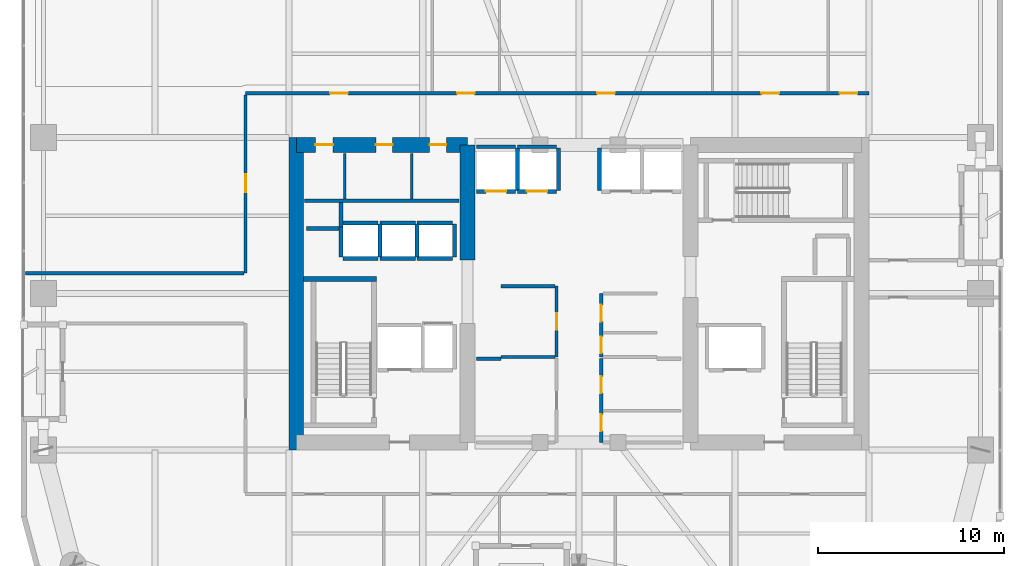
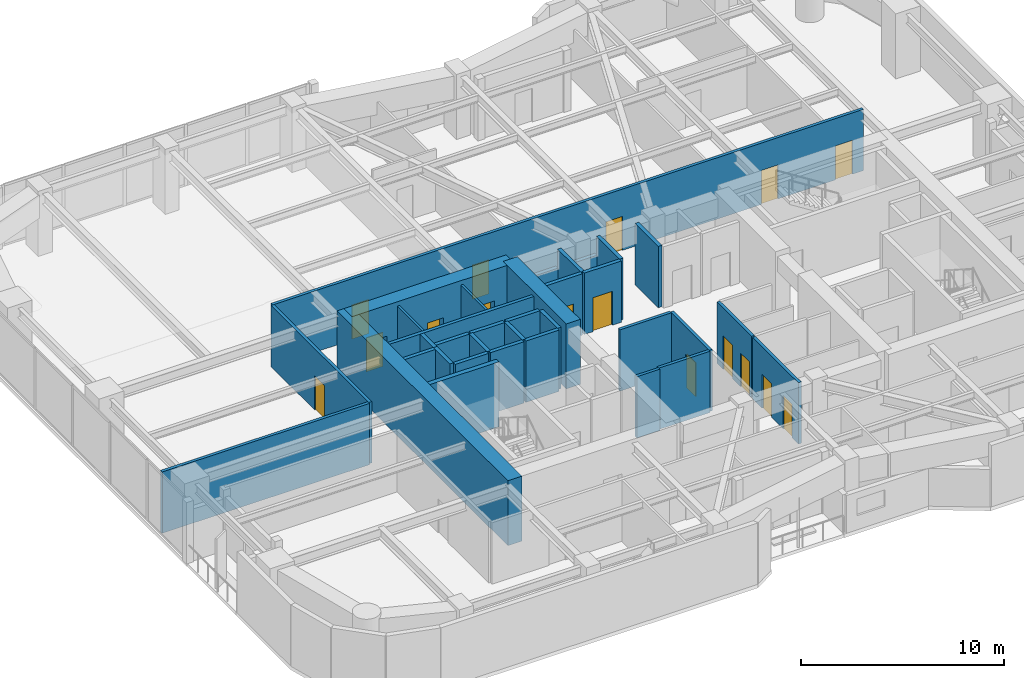
# One storey, part 26 of 31: 35 walls, 16 doors, 16 openings.
"""IFC4 building model written with IfcOpenShell, lengths in metres."""

from ifc_helpers import new_model, si_unit, direction, frame, frame_2d, origin, place, context, subcontext, project, spatial, rectangle, extrude, material, layer, layer_set, type_object, element, fill, save


model = new_model("IFC4")

# Units and contexts
model_context = context("Model", 3, precision=1e-05, world=origin(), true_north=direction((0.0, 1.0)))
body_context = subcontext(model_context, "Body", "Model", "MODEL_VIEW")
ifc_project = project(units=[si_unit("LENGTHUNIT", "METRE"), si_unit("AREAUNIT", "SQUARE_METRE"), si_unit("VOLUMEUNIT", "CUBIC_METRE"), si_unit("PLANEANGLEUNIT", "RADIAN"), si_unit("MASSUNIT", "GRAM", prefix="KILO")], contexts=[model_context])

# Site, building, storey
site_placement = place(None, origin())
site = spatial("IfcSite", under=ifc_project, at=site_placement, CompositionType="ELEMENT")
building_placement = place(site_placement, origin())
building = spatial("IfcBuilding", under=site, at=building_placement, Name="Kiyonajd Concourse Tower", CompositionType="ELEMENT")
storey_placement = place(building_placement, frame((0.0, 0.0, 158.39990234375)))
storey = spatial("IfcBuildingStorey", under=building, at=storey_placement, Name="L40", CompositionType="ELEMENT", Elevation=158.39990234375)

# Walls
ifc_material_1 = material(Name="Concrete C70/85", Category="concrete")
ifc_layer_1 = layer(ifc_material_1, 0.800048828125)
ifc_layer_set_1 = layer_set([ifc_layer_1], Name="Concrete C70/85")
wall_type_1 = type_object("IfcWallType", Name="WL-CORE-800", PredefinedType="SHEAR", material=ifc_layer_set_1)
wall_1_placement = place(storey_placement, frame((32.800048828125, 27.60009765625, 0.0), z_axis=(0.0, 0.0, 1.0), x_axis=(0.0, 1.0, 0.0)))
element("IfcWall", 1, at=wall_1_placement, inside=storey, type_object=wall_type_1, Name="L40 West Core Outer Shear Wall", PredefinedType="SHEAR", context=body_context, shape_type="SweptSolid", body=[
    extrude(rectangle(XDim=16.7998046875, YDim=0.800048828125, at=frame_2d((8.39990234375, 0.0))), origin(), (0.0, 0.0, 1.0), 3.900146484375),
])
wall_2_placement = place(storey_placement, frame((42.0, 37.800048828125, 0.0), z_axis=(0.0, 0.0, 1.0), x_axis=(0.0, 1.0, 0.0)))
element("IfcWall", 2, at=wall_2_placement, inside=storey, type_object=wall_type_1, Name="L40 West Core Inner North Shear Wall", PredefinedType="SHEAR", context=body_context, shape_type="SweptSolid", body=[
    extrude(rectangle(XDim=6.199951171875, YDim=0.800048828125, at=frame_2d((3.10009765625, 0.0))), origin(), (0.0, 0.0, 1.0), 3.900146484375),
])

# Wall, openings, doors
wall_3_placement = place(storey_placement, frame((32.800048828125, 44.0, 0.0), z_axis=(0.0, 0.0, 1.0), x_axis=(1.0, 0.0, 0.0)))
wall_3 = element("IfcWall", 3, at=wall_3_placement, inside=storey, type_object=wall_type_1, Name="L40 West Core North Shear Wall", PredefinedType="SHEAR", context=body_context, shape_type="SweptSolid", body=[
    extrude(rectangle(XDim=9.199951171875, YDim=0.800048828125, at=frame_2d((4.60009765625, 0.0))), origin(), (0.0, 0.0, 1.0), 3.900146484375),
])
opening_1_placement = place(wall_3_placement, frame((1.02490234375, 0.0, 0.0)))
opening_1 = element("IfcOpeningElement", 4, at=opening_1_placement, cuts=wall_3, Name="Opening DI1", PredefinedType="OPENING", context=body_context, shape_type="SweptSolid", body=[
    extrude(rectangle(XDim=0.949951171875, YDim=2.0400390625, at=frame_2d((0.47509765625, 1.02001953125))), frame((0.0, 0.409912109375, 0.0), z_axis=(0.0, -1.0, 0.0), x_axis=(1.0, 0.0, 0.0)), (0.0, 0.0, 1.0), 0.820068359375),
])
opening_2_placement = place(wall_3_placement, frame((4.27490234375, 0.0, 0.0)))
opening_2 = element("IfcOpeningElement", 5, at=opening_2_placement, cuts=wall_3, Name="Opening DI2", PredefinedType="OPENING", context=body_context, shape_type="SweptSolid", body=[
    extrude(rectangle(XDim=0.89990234375, YDim=2.02001953125, at=frame_2d((0.449951171875, 1.010009765625))), frame((0.0, 0.409912109375, 0.0), z_axis=(0.0, -1.0, 0.0), x_axis=(1.0, 0.0, 0.0)), (0.0, 0.0, 1.0), 0.820068359375),
])
opening_3_placement = place(wall_3_placement, frame((7.175048828125, 0.0, 0.0)))
opening_3 = element("IfcOpeningElement", 6, at=opening_3_placement, cuts=wall_3, Name="Opening DI2", PredefinedType="OPENING", context=body_context, shape_type="SweptSolid", body=[
    extrude(rectangle(XDim=0.89990234375, YDim=2.02001953125, at=frame_2d((0.449951171875, 1.010009765625))), frame((0.0, 0.409912109375, 0.0), z_axis=(0.0, -1.0, 0.0), x_axis=(1.0, 0.0, 0.0)), (0.0, 0.0, 1.0), 0.820068359375),
])
ifc_material_2 = material(Name="Natural Oak Acoustic Timber Veneer", Category="wood")
door_type_1 = type_object("IfcDoorType", Name="DR-INT-900", OperationType="NOTDEFINED", PredefinedType="DOOR", material=ifc_material_2)
door_1_placement = place(opening_2_placement, origin())
door_1 = element("IfcDoor", 7, at=door_1_placement, inside=storey, type_object=door_type_1, Name="L40 Male Restroom Door", OperationType="SINGLE_SWING_RIGHT", OverallHeight=2.02001953125, OverallWidth=0.89990234375, PredefinedType="DOOR", context=body_context, shape_type="SweptSolid", body=[
    extrude(rectangle(XDim=0.89990234375, YDim=2.02001953125, at=frame_2d((0.449951171875, 1.010009765625))), frame((0.0, 0.02490234375, 0.0), z_axis=(0.0, -1.0, 0.0), x_axis=(1.0, 0.0, 0.0)), (0.0, 0.0, 1.0), 0.050048828125),
])
fill(opening_2, door_1)
door_2_placement = place(opening_3_placement, origin())
door_2 = element("IfcDoor", 8, at=door_2_placement, inside=storey, type_object=door_type_1, Name="L40 Female Restroom Door", OperationType="SINGLE_SWING_LEFT", OverallHeight=2.02001953125, OverallWidth=0.89990234375, PredefinedType="DOOR", context=body_context, shape_type="SweptSolid", body=[
    extrude(rectangle(XDim=0.89990234375, YDim=2.02001953125, at=frame_2d((0.449951171875, 1.010009765625))), frame((0.0, 0.02490234375, 0.0), z_axis=(0.0, -1.0, 0.0), x_axis=(1.0, 0.0, 0.0)), (0.0, 0.0, 1.0), 0.050048828125),
])
fill(opening_3, door_2)
door_type_2 = type_object("IfcDoorType", Name="DR-INT-950", OperationType="NOTDEFINED", PredefinedType="DOOR", material=ifc_material_2)
door_3_placement = place(opening_1_placement, origin())
door_3 = element("IfcDoor", 9, at=door_3_placement, inside=storey, type_object=door_type_2, Name="L40 Single User Accessible WC Door", OperationType="SINGLE_SWING_LEFT", OverallHeight=2.0400390625, OverallWidth=0.949951171875, PredefinedType="DOOR", context=body_context, shape_type="SweptSolid", body=[
    extrude(rectangle(XDim=0.949951171875, YDim=2.0400390625, at=frame_2d((0.47509765625, 1.02001953125))), frame((0.0, 0.02490234375, 0.0), z_axis=(0.0, -1.0, 0.0), x_axis=(1.0, 0.0, 0.0)), (0.0, 0.0, 1.0), 0.050048828125),
])
fill(opening_1, door_3)

# Walls
ifc_material_3 = material(Name="Gypsum Board on Cold-Formed Steel Stud", Category="steel")
ifc_layer_2 = layer(ifc_material_3, 0.125)
ifc_layer_set_2 = layer_set([ifc_layer_2], Name="Gypsum Board on Cold-Formed Steel Stud")
wall_type_2 = type_object("IfcWallType", Name="WL-PART-125", PredefinedType="PARTITIONING", material=ifc_layer_set_2)
for number, where, z_axis, x_axis, name in (
    (10, (35.39990234375, 41.094970703125, 0.0), (0.0, 0.0, 1.0), (0.0, 1.0, 0.0), "L40 Interior Partition Wall"),
    (11, (39.0, 41.094970703125, 0.0), (0.0, 0.0, 1.0), (0.0, 1.0, 0.0), "L40 Interior Partition Wall"),
):
    element("IfcWall", number, at=place(storey_placement, frame(where, z_axis=z_axis, x_axis=x_axis)), inside=storey, type_object=wall_type_2, Name=name, PredefinedType="PARTITIONING", context=body_context, shape_type="SweptSolid", body=[
        extrude(rectangle(XDim=2.455078125, YDim=0.125, at=frame_2d((1.2275390625, 0.0))), origin(), (0.0, 0.0, 1.0), 3.68017578125),
    ])
ifc_layer_3 = layer(ifc_material_3, 0.18994140625)
ifc_layer_set_3 = layer_set([ifc_layer_3], Name="Gypsum Board on Cold-Formed Steel Stud")
wall_type_3 = type_object("IfcWallType", Name="WL-PLMB-190", PredefinedType="PLUMBINGWALL", material=ifc_layer_set_3)
wall_4_placement = place(storey_placement, frame((33.25, 41.0, 0.0), z_axis=(0.0, 0.0, 1.0), x_axis=(1.0, 0.0, 0.0)))
element("IfcWall", 12, at=wall_4_placement, inside=storey, type_object=wall_type_3, Name="L40 Interior Partition Wall", PredefinedType="PLUMBINGWALL", context=body_context, shape_type="SweptSolid", body=[
    extrude(rectangle(XDim=8.300048828125, YDim=0.18994140625, at=frame_2d((4.14990234375, 0.0))), origin(), (0.0, 0.0, 1.0), 3.68017578125),
])
ifc_layer_4 = layer(ifc_material_3, 0.2099609375)
ifc_layer_set_4 = layer_set([ifc_layer_4], Name="Gypsum Board on Cold-Formed Steel Stud")
wall_type_4 = type_object("IfcWallType", Name="WL-SHAFT-210", PredefinedType="PARTITIONING", material=ifc_layer_set_4)
wall_5_placement = place(storey_placement, frame((33.360107421875, 39.5, 0.0), z_axis=(0.0, 0.0, 1.0), x_axis=(1.0, 0.0, 0.0)))
element("IfcWall", 13, at=wall_5_placement, inside=storey, type_object=wall_type_4, Name="L40 Shaft Enclosure Wall", PredefinedType="PARTITIONING", context=body_context, shape_type="SweptSolid", body=[
    extrude(rectangle(XDim=1.85986328125, YDim=0.2099609375, at=frame_2d((0.929931640625, 0.0))), origin(), (0.0, 0.0, 1.0), 3.68017578125),
])
wall_6_placement = place(storey_placement, frame((35.199951171875, 39.580078125, 0.0), z_axis=(0.0, 0.0, 1.0), x_axis=(0.0, 1.0, 0.0)))
element("IfcWall", 14, at=wall_6_placement, inside=storey, type_object=wall_type_4, Name="L40 Shaft Enclosure Wall", PredefinedType="PARTITIONING", context=body_context, shape_type="SweptSolid", body=[
    extrude(rectangle(XDim=1.31982421875, YDim=0.2099609375, at=frame_2d((0.659912109375, 0.0))), origin(), (0.0, 0.0, 1.0), 3.68017578125),
])

# Wall, opening, door
wall_7_placement = place(storey_placement, frame((42.5, 41.5, 0.0), z_axis=(0.0, 0.0, 1.0), x_axis=(1.0, 0.0, 0.0)))
wall_7 = element("IfcWall", 15, at=wall_7_placement, inside=storey, type_object=wall_type_4, Name="L40 Shaft Enclosure Wall", PredefinedType="PARTITIONING", context=body_context, shape_type="SweptSolid", body=[
    extrude(rectangle(XDim=2.10009765625, YDim=0.2099609375, at=frame_2d((1.050048828125, 0.0))), origin(), (0.0, 0.0, 1.0), 3.68017578125),
])
opening_4_placement = place(wall_7_placement, frame((0.5, 0.0, 0.0)))
opening_4 = element("IfcOpeningElement", 16, at=opening_4_placement, cuts=wall_7, Name="Opening LD1", PredefinedType="OPENING", context=body_context, shape_type="SweptSolid", body=[
    extrude(rectangle(XDim=1.10009765625, YDim=2.0400390625, at=frame_2d((0.550048828125, 1.02001953125))), frame((0.0, 0.114990234375, 0.0), z_axis=(0.0, -1.0, 0.0), x_axis=(1.0, 0.0, 0.0)), (0.0, 0.0, 1.0), 0.22998046875),
])
ifc_material_4 = material(Name="Brushed Stainless Steel Cab Assembly", Category="steel")
door_type_3 = type_object("IfcDoorType", Name="DR-LD-1100", OperationType="DOUBLE_DOOR_SLIDING", PredefinedType="DOOR", material=ifc_material_4)
door_4_placement = place(opening_4_placement, origin())
door_4 = element("IfcDoor", 17, at=door_4_placement, inside=storey, type_object=door_type_3, Name="L40 Lift PL-M1 Sliding Landing Door", OperationType="DOUBLE_DOOR_SLIDING", OverallHeight=2.0400390625, OverallWidth=1.10009765625, PredefinedType="DOOR", context=body_context, shape_type="SweptSolid", body=[
    extrude(rectangle(XDim=1.10009765625, YDim=2.0400390625, at=frame_2d((0.550048828125, 1.02001953125))), frame((0.0, 0.02490234375, 0.0), z_axis=(0.0, -1.0, 0.0), x_axis=(1.0, 0.0, 0.0)), (0.0, 0.0, 1.0), 0.050048828125),
])
fill(opening_4, door_4)

# Walls
wall_8_placement = place(storey_placement, frame((42.5, 43.89990234375, 0.0), z_axis=(0.0, 0.0, 1.0), x_axis=(1.0, 0.0, 0.0)))
element("IfcWall", 18, at=wall_8_placement, inside=storey, type_object=wall_type_4, Name="L40 Shaft Enclosure Wall", PredefinedType="PARTITIONING", context=body_context, shape_type="SweptSolid", body=[
    extrude(rectangle(XDim=2.10009765625, YDim=0.2099609375, at=frame_2d((1.050048828125, 0.0))), origin(), (0.0, 0.0, 1.0), 2.565185546875),
])
wall_9_placement = place(storey_placement, frame((44.699951171875, 41.56005859375, 0.0), z_axis=(0.0, 0.0, 1.0), x_axis=(0.0, 1.0, 0.0)))
element("IfcWall", 19, at=wall_9_placement, inside=storey, type_object=wall_type_4, Name="L40 Shaft Enclosure Wall", PredefinedType="PARTITIONING", context=body_context, shape_type="SweptSolid", body=[
    extrude(rectangle(XDim=2.280029296875, YDim=0.2099609375, at=frame_2d((1.14013671875, 0.0))), origin(), (0.0, 0.0, 1.0), 3.68017578125),
])

# Wall, opening, door
wall_10_placement = place(storey_placement, frame((44.699951171875, 41.5, 0.0), z_axis=(0.0, 0.0, 1.0), x_axis=(1.0, 0.0, 0.0)))
wall_10 = element("IfcWall", 20, at=wall_10_placement, inside=storey, type_object=wall_type_4, Name="L40 Shaft Enclosure Wall", PredefinedType="PARTITIONING", context=body_context, shape_type="SweptSolid", body=[
    extrude(rectangle(XDim=2.10009765625, YDim=0.2099609375, at=frame_2d((1.050048828125, 0.0))), origin(), (0.0, 0.0, 1.0), 3.68017578125),
])
opening_5_placement = place(wall_10_placement, frame((0.5, 0.0, 0.0)))
opening_5 = element("IfcOpeningElement", 21, at=opening_5_placement, cuts=wall_10, Name="Opening LD1", PredefinedType="OPENING", context=body_context, shape_type="SweptSolid", body=[
    extrude(rectangle(XDim=1.10009765625, YDim=2.0400390625, at=frame_2d((0.550048828125, 1.02001953125))), frame((0.0, 0.114990234375, 0.0), z_axis=(0.0, -1.0, 0.0), x_axis=(1.0, 0.0, 0.0)), (0.0, 0.0, 1.0), 0.22998046875),
])
door_5_placement = place(opening_5_placement, origin())
door_5 = element("IfcDoor", 22, at=door_5_placement, inside=storey, type_object=door_type_3, Name="L40 Lift PL-M2 Sliding Landing Door", OperationType="DOUBLE_DOOR_SLIDING", OverallHeight=2.0400390625, OverallWidth=1.10009765625, PredefinedType="DOOR", context=body_context, shape_type="SweptSolid", body=[
    extrude(rectangle(XDim=1.10009765625, YDim=2.0400390625, at=frame_2d((0.550048828125, 1.02001953125))), frame((0.0, 0.02490234375, 0.0), z_axis=(0.0, -1.0, 0.0), x_axis=(1.0, 0.0, 0.0)), (0.0, 0.0, 1.0), 0.050048828125),
])
fill(opening_5, door_5)

# Walls
wall_11_placement = place(storey_placement, frame((44.699951171875, 43.89990234375, 0.0), z_axis=(0.0, 0.0, 1.0), x_axis=(1.0, 0.0, 0.0)))
element("IfcWall", 23, at=wall_11_placement, inside=storey, type_object=wall_type_4, Name="L40 Shaft Enclosure Wall", PredefinedType="PARTITIONING", context=body_context, shape_type="SweptSolid", body=[
    extrude(rectangle(XDim=2.10009765625, YDim=0.2099609375, at=frame_2d((1.050048828125, 0.0))), origin(), (0.0, 0.0, 1.0), 2.565185546875),
])
for number, where, z_axis, x_axis, name in (
    (24, (46.89990234375, 41.56005859375, 0.0), (0.0, 0.0, 1.0), (0.0, 1.0, 0.0), "L40 Shaft Enclosure Wall"),
    (25, (49.10009765625, 41.56005859375, 0.0), (0.0, 0.0, 1.0), (0.0, 1.0, 0.0), "L40 Shaft Enclosure Wall"),
):
    element("IfcWall", number, at=place(storey_placement, frame(where, z_axis=z_axis, x_axis=x_axis)), inside=storey, type_object=wall_type_4, Name=name, PredefinedType="PARTITIONING", context=body_context, shape_type="SweptSolid", body=[
        extrude(rectangle(XDim=2.280029296875, YDim=0.2099609375, at=frame_2d((1.14013671875, 0.0))), origin(), (0.0, 0.0, 1.0), 3.68017578125),
    ])
for number, where, z_axis, x_axis, name in (
    (26, (35.300048828125, 37.89990234375, 0.0), (0.0, 0.0, 1.0), (1.0, 0.0, 0.0), "L40 Shaft Enclosure Wall"),
    (27, (35.300048828125, 39.800048828125, 0.0), (0.0, 0.0, 1.0), (1.0, 0.0, 0.0), "L40 Shaft Enclosure Wall"),
):
    element("IfcWall", number, at=place(storey_placement, frame(where, z_axis=z_axis, x_axis=x_axis)), inside=storey, type_object=wall_type_4, Name=name, PredefinedType="PARTITIONING", context=body_context, shape_type="SweptSolid", body=[
        extrude(rectangle(XDim=1.89990234375, YDim=0.2099609375, at=frame_2d((0.949951171875, 0.0))), origin(), (0.0, 0.0, 1.0), 3.68017578125),
    ])
wall_12_placement = place(storey_placement, frame((35.199951171875, 37.9599609375, 0.0), z_axis=(0.0, 0.0, 1.0), x_axis=(0.0, 1.0, 0.0)))
element("IfcWall", 28, at=wall_12_placement, inside=storey, type_object=wall_type_4, Name="L40 Shaft Enclosure Wall", PredefinedType="PARTITIONING", context=body_context, shape_type="SweptSolid", body=[
    extrude(rectangle(XDim=1.6201171875, YDim=0.2099609375, at=frame_2d((0.81005859375, 0.0))), origin(), (0.0, 0.0, 1.0), 3.68017578125),
])
wall_13_placement = place(storey_placement, frame((37.300048828125, 37.9599609375, 0.0), z_axis=(0.0, 0.0, 1.0), x_axis=(0.0, 1.0, 0.0)))
element("IfcWall", 29, at=wall_13_placement, inside=storey, type_object=wall_type_4, Name="L40 Shaft Enclosure Wall", PredefinedType="PARTITIONING", context=body_context, shape_type="SweptSolid", body=[
    extrude(rectangle(XDim=1.780029296875, YDim=0.2099609375, at=frame_2d((0.89013671875, 0.0))), origin(), (0.0, 0.0, 1.0), 3.68017578125),
])
for number, where, z_axis, x_axis, name in (
    (30, (37.300048828125, 37.89990234375, 0.0), (0.0, 0.0, 1.0), (1.0, 0.0, 0.0), "L40 Shaft Enclosure Wall"),
    (31, (37.300048828125, 39.800048828125, 0.0), (0.0, 0.0, 1.0), (1.0, 0.0, 0.0), "L40 Shaft Enclosure Wall"),
):
    element("IfcWall", number, at=place(storey_placement, frame(where, z_axis=z_axis, x_axis=x_axis)), inside=storey, type_object=wall_type_4, Name=name, PredefinedType="PARTITIONING", context=body_context, shape_type="SweptSolid", body=[
        extrude(rectangle(XDim=1.89990234375, YDim=0.2099609375, at=frame_2d((0.949951171875, 0.0))), origin(), (0.0, 0.0, 1.0), 3.68017578125),
    ])
wall_14_placement = place(storey_placement, frame((39.300048828125, 37.9599609375, 0.0), z_axis=(0.0, 0.0, 1.0), x_axis=(0.0, 1.0, 0.0)))
element("IfcWall", 32, at=wall_14_placement, inside=storey, type_object=wall_type_4, Name="L40 Shaft Enclosure Wall", PredefinedType="PARTITIONING", context=body_context, shape_type="SweptSolid", body=[
    extrude(rectangle(XDim=1.780029296875, YDim=0.2099609375, at=frame_2d((0.89013671875, 0.0))), origin(), (0.0, 0.0, 1.0), 3.68017578125),
])
for number, where, z_axis, x_axis, name in (
    (33, (39.300048828125, 37.89990234375, 0.0), (0.0, 0.0, 1.0), (1.0, 0.0, 0.0), "L40 Shaft Enclosure Wall"),
    (34, (39.300048828125, 39.800048828125, 0.0), (0.0, 0.0, 1.0), (1.0, 0.0, 0.0), "L40 Shaft Enclosure Wall"),
):
    element("IfcWall", number, at=place(storey_placement, frame(where, z_axis=z_axis, x_axis=x_axis)), inside=storey, type_object=wall_type_4, Name=name, PredefinedType="PARTITIONING", context=body_context, shape_type="SweptSolid", body=[
        extrude(rectangle(XDim=1.89990234375, YDim=0.2099609375, at=frame_2d((0.949951171875, 0.0))), origin(), (0.0, 0.0, 1.0), 3.68017578125),
    ])
wall_15_placement = place(storey_placement, frame((41.300048828125, 37.9599609375, 0.0), z_axis=(0.0, 0.0, 1.0), x_axis=(0.0, 1.0, 0.0)))
element("IfcWall", 35, at=wall_15_placement, inside=storey, type_object=wall_type_4, Name="L40 Shaft Enclosure Wall", PredefinedType="PARTITIONING", context=body_context, shape_type="SweptSolid", body=[
    extrude(rectangle(XDim=1.780029296875, YDim=0.2099609375, at=frame_2d((0.89013671875, 0.0))), origin(), (0.0, 0.0, 1.0), 3.68017578125),
])

# Wall, opening, door
ifc_layer_5 = layer(ifc_material_3, 0.169921875)
ifc_layer_set_5 = layer_set([ifc_layer_5], Name="Gypsum Board on Cold-Formed Steel Stud")
wall_type_5 = type_object("IfcWallType", Name="WL-SMK-170", PredefinedType="PARTITIONING", material=ifc_layer_set_5)
wall_16_placement = place(storey_placement, frame((46.800048828125, 32.60009765625, 0.0), z_axis=(0.0, 0.0, 1.0), x_axis=(0.0, 1.0, 0.0)))
wall_16 = element("IfcWall", 36, at=wall_16_placement, inside=storey, type_object=wall_type_5, Name="L40 Interior Partition Wall", PredefinedType="PARTITIONING", context=body_context, shape_type="SweptSolid", body=[
    extrude(rectangle(XDim=3.7998046875, YDim=0.169921875, at=frame_2d((1.89990234375, 0.0))), origin(), (0.0, 0.0, 1.0), 3.68017578125),
])
opening_6_placement = place(wall_16_placement, frame((1.449951171875, 0.0, 0.0)))
opening_6 = element("IfcOpeningElement", 37, at=opening_6_placement, cuts=wall_16, Name="Opening DI2", PredefinedType="OPENING", context=body_context, shape_type="SweptSolid", body=[
    extrude(rectangle(XDim=0.89990234375, YDim=2.02001953125, at=frame_2d((0.449951171875, 1.010009765625))), frame((0.0, 0.094970703125, 0.0), z_axis=(0.0, -1.0, 0.0), x_axis=(1.0, 0.0, 0.0)), (0.0, 0.0, 1.0), 0.18994140625),
])
door_6_placement = place(opening_6_placement, origin())
door_6 = element("IfcDoor", 38, at=door_6_placement, inside=storey, type_object=door_type_1, Name="L40 Interior Door", OperationType="SINGLE_SWING_LEFT", OverallHeight=2.02001953125, OverallWidth=0.89990234375, PredefinedType="DOOR", context=body_context, shape_type="SweptSolid", body=[
    extrude(rectangle(XDim=0.89990234375, YDim=2.02001953125, at=frame_2d((0.449951171875, 1.010009765625))), frame((0.0, 0.02490234375, 0.0), z_axis=(0.0, -1.0, 0.0), x_axis=(1.0, 0.0, 0.0)), (0.0, 0.0, 1.0), 0.050048828125),
])
fill(opening_6, door_6)

# Walls
for number, where, z_axis, x_axis, name in (
    (39, (43.800048828125, 32.60009765625, 0.0), (0.0, 0.0, 1.0), (1.0, 0.0, 0.0), "L40 Interior Partition Wall"),
    (40, (43.800048828125, 36.39990234375, 0.0), (0.0, 0.0, 1.0), (1.0, 0.0, 0.0), "L40 Interior Partition Wall"),
):
    element("IfcWall", number, at=place(storey_placement, frame(where, z_axis=z_axis, x_axis=x_axis)), inside=storey, type_object=wall_type_5, Name=name, PredefinedType="PARTITIONING", context=body_context, shape_type="SweptSolid", body=[
        extrude(rectangle(XDim=2.912841796875, YDim=0.169921875, at=frame_2d((1.45654296875, 0.0))), origin(), (0.0, 0.0, 1.0), 3.68017578125),
    ])

# Wall, openings, doors
wall_17_placement = place(storey_placement, frame((49.199951171875, 32.60009765625, 0.0), z_axis=(0.0, 0.0, 1.0), x_axis=(0.0, 1.0, 0.0)))
wall_17 = element("IfcWall", 41, at=wall_17_placement, inside=storey, type_object=wall_type_5, Name="L40 Interior Partition Wall", PredefinedType="PARTITIONING", context=body_context, shape_type="SweptSolid", body=[
    extrude(rectangle(XDim=3.39990234375, YDim=0.169921875, at=frame_2d((1.699951171875, 0.0))), origin(), (0.0, 0.0, 1.0), 3.68017578125),
])
opening_7_placement = place(wall_17_placement, frame((0.196044921875, 0.0, 0.0)))
opening_7 = element("IfcOpeningElement", 42, at=opening_7_placement, cuts=wall_17, Name="Opening DI2", PredefinedType="OPENING", context=body_context, shape_type="SweptSolid", body=[
    extrude(rectangle(XDim=0.89990234375, YDim=2.02001953125, at=frame_2d((0.449951171875, 1.010009765625))), frame((0.0, 0.094970703125, 0.0), z_axis=(0.0, -1.0, 0.0), x_axis=(1.0, 0.0, 0.0)), (0.0, 0.0, 1.0), 0.18994140625),
])
opening_8_placement = place(wall_17_placement, frame((1.89599609375, 0.0, 0.0)))
opening_8 = element("IfcOpeningElement", 43, at=opening_8_placement, cuts=wall_17, Name="Opening DI2", PredefinedType="OPENING", context=body_context, shape_type="SweptSolid", body=[
    extrude(rectangle(XDim=0.89990234375, YDim=2.02001953125, at=frame_2d((0.449951171875, 1.010009765625))), frame((0.0, 0.094970703125, 0.0), z_axis=(0.0, -1.0, 0.0), x_axis=(1.0, 0.0, 0.0)), (0.0, 0.0, 1.0), 0.18994140625),
])
door_7_placement = place(opening_7_placement, origin())
door_7 = element("IfcDoor", 44, at=door_7_placement, inside=storey, type_object=door_type_1, Name="L40 Interior Door", OperationType="SINGLE_SWING_RIGHT", OverallHeight=2.02001953125, OverallWidth=0.89990234375, PredefinedType="DOOR", context=body_context, shape_type="SweptSolid", body=[
    extrude(rectangle(XDim=0.89990234375, YDim=2.02001953125, at=frame_2d((0.449951171875, 1.010009765625))), frame((0.0, 0.02490234375, 0.0), z_axis=(0.0, -1.0, 0.0), x_axis=(1.0, 0.0, 0.0)), (0.0, 0.0, 1.0), 0.050048828125),
])
fill(opening_7, door_7)
door_8_placement = place(opening_8_placement, origin())
door_8 = element("IfcDoor", 45, at=door_8_placement, inside=storey, type_object=door_type_1, Name="L40 Interior Door", OperationType="SINGLE_SWING_LEFT", OverallHeight=2.02001953125, OverallWidth=0.89990234375, PredefinedType="DOOR", context=body_context, shape_type="SweptSolid", body=[
    extrude(rectangle(XDim=0.89990234375, YDim=2.02001953125, at=frame_2d((0.449951171875, 1.010009765625))), frame((0.0, 0.02490234375, 0.0), z_axis=(0.0, -1.0, 0.0), x_axis=(1.0, 0.0, 0.0)), (0.0, 0.0, 1.0), 0.050048828125),
])
fill(opening_8, door_8)

# Wall
wall_18_placement = place(storey_placement, frame((42.5, 32.5, 0.0), z_axis=(0.0, 0.0, 1.0), x_axis=(1.0, 0.0, 0.0)))
element("IfcWall", 46, at=wall_18_placement, inside=storey, type_object=wall_type_5, Name="L40 Interior Partition Wall", PredefinedType="PARTITIONING", context=body_context, shape_type="SweptSolid", body=[
    extrude(rectangle(XDim=1.300048828125, YDim=0.169921875, at=frame_2d((0.64990234375, 0.0))), origin(), (0.0, 0.0, 1.0), 3.68017578125),
])

# Wall, openings, doors
wall_19_placement = place(storey_placement, frame((49.199951171875, 28.0, 0.0), z_axis=(0.0, 0.0, 1.0), x_axis=(0.0, 1.0, 0.0)))
wall_19 = element("IfcWall", 47, at=wall_19_placement, inside=storey, type_object=wall_type_5, Name="L40 Interior Partition Wall", PredefinedType="PARTITIONING", context=body_context, shape_type="SweptSolid", body=[
    extrude(rectangle(XDim=4.5, YDim=0.169921875, at=frame_2d((2.25, 0.0))), origin(), (0.0, 0.0, 1.0), 3.68017578125),
])
opening_9_placement = place(wall_19_placement, frame((0.60498046875, 0.0, 0.0)))
opening_9 = element("IfcOpeningElement", 48, at=opening_9_placement, cuts=wall_19, Name="Opening DI2", PredefinedType="OPENING", context=body_context, shape_type="SweptSolid", body=[
    extrude(rectangle(XDim=0.89990234375, YDim=2.02001953125, at=frame_2d((0.449951171875, 1.010009765625))), frame((0.0, 0.094970703125, 0.0), z_axis=(0.0, -1.0, 0.0), x_axis=(1.0, 0.0, 0.0)), (0.0, 0.0, 1.0), 0.18994140625),
])
opening_10_placement = place(wall_19_placement, frame((2.655029296875, 0.0, 0.0)))
opening_10 = element("IfcOpeningElement", 49, at=opening_10_placement, cuts=wall_19, Name="Opening DI2", PredefinedType="OPENING", context=body_context, shape_type="SweptSolid", body=[
    extrude(rectangle(XDim=0.89990234375, YDim=2.02001953125, at=frame_2d((0.449951171875, 1.010009765625))), frame((0.0, 0.094970703125, 0.0), z_axis=(0.0, -1.0, 0.0), x_axis=(1.0, 0.0, 0.0)), (0.0, 0.0, 1.0), 0.18994140625),
])
door_9_placement = place(opening_9_placement, origin())
door_9 = element("IfcDoor", 50, at=door_9_placement, inside=storey, type_object=door_type_1, Name="L40 Interior Door", OperationType="SINGLE_SWING_LEFT", OverallHeight=2.02001953125, OverallWidth=0.89990234375, PredefinedType="DOOR", context=body_context, shape_type="SweptSolid", body=[
    extrude(rectangle(XDim=0.89990234375, YDim=2.02001953125, at=frame_2d((0.449951171875, 1.010009765625))), frame((0.0, 0.02490234375, 0.0), z_axis=(0.0, -1.0, 0.0), x_axis=(1.0, 0.0, 0.0)), (0.0, 0.0, 1.0), 0.050048828125),
])
fill(opening_9, door_9)
door_10_placement = place(opening_10_placement, origin())
door_10 = element("IfcDoor", 51, at=door_10_placement, inside=storey, type_object=door_type_1, Name="L40 Interior Door", OperationType="SINGLE_SWING_RIGHT", OverallHeight=2.02001953125, OverallWidth=0.89990234375, PredefinedType="DOOR", context=body_context, shape_type="SweptSolid", body=[
    extrude(rectangle(XDim=0.89990234375, YDim=2.02001953125, at=frame_2d((0.449951171875, 1.010009765625))), frame((0.0, 0.02490234375, 0.0), z_axis=(0.0, -1.0, 0.0), x_axis=(1.0, 0.0, 0.0)), (0.0, 0.0, 1.0), 0.050048828125),
])
fill(opening_10, door_10)

wall_20_placement = place(storey_placement, frame((30.074951171875, 46.780029296875, 0.0), z_axis=(0.0, 0.0, 1.0), x_axis=(1.0, 0.0, 0.0)))
wall_20 = element("IfcWall", 52, at=wall_20_placement, inside=storey, type_object=wall_type_5, Name="L40 Interior Partition Wall", PredefinedType="PARTITIONING", context=body_context, shape_type="SweptSolid", body=[
    extrude(rectangle(XDim=33.525146484375, YDim=0.169921875, at=frame_2d((16.7626953125, 0.0))), origin(), (0.0, 0.0, 1.0), 3.68017578125),
])
opening_11_placement = place(wall_20_placement, frame((4.54296875, 0.0, 0.0)))
opening_11 = element("IfcOpeningElement", 53, at=opening_11_placement, cuts=wall_20, Name="Opening DI1", PredefinedType="OPENING", context=body_context, shape_type="SweptSolid", body=[
    extrude(rectangle(XDim=0.949951171875, YDim=2.0400390625, at=frame_2d((0.47509765625, 1.02001953125))), frame((0.0, 0.094970703125, 0.0), z_axis=(0.0, -1.0, 0.0), x_axis=(1.0, 0.0, 0.0)), (0.0, 0.0, 1.0), 0.18994140625),
])
opening_12_placement = place(wall_20_placement, frame((11.3701171875, 0.0, 0.0)))
opening_12 = element("IfcOpeningElement", 54, at=opening_12_placement, cuts=wall_20, Name="Opening DI1", PredefinedType="OPENING", context=body_context, shape_type="SweptSolid", body=[
    extrude(rectangle(XDim=0.949951171875, YDim=2.0400390625, at=frame_2d((0.47509765625, 1.02001953125))), frame((0.0, 0.094970703125, 0.0), z_axis=(0.0, -1.0, 0.0), x_axis=(1.0, 0.0, 0.0)), (0.0, 0.0, 1.0), 0.18994140625),
])
opening_13_placement = place(wall_20_placement, frame((18.905029296875, 0.0, 0.0)))
opening_13 = element("IfcOpeningElement", 55, at=opening_13_placement, cuts=wall_20, Name="Opening DI1", PredefinedType="OPENING", context=body_context, shape_type="SweptSolid", body=[
    extrude(rectangle(XDim=0.949951171875, YDim=2.0400390625, at=frame_2d((0.47509765625, 1.02001953125))), frame((0.0, 0.094970703125, 0.0), z_axis=(0.0, -1.0, 0.0), x_axis=(1.0, 0.0, 0.0)), (0.0, 0.0, 1.0), 0.18994140625),
])
opening_14_placement = place(wall_20_placement, frame((27.739990234375, 0.0, 0.0)))
opening_14 = element("IfcOpeningElement", 56, at=opening_14_placement, cuts=wall_20, Name="Opening DI1", PredefinedType="OPENING", context=body_context, shape_type="SweptSolid", body=[
    extrude(rectangle(XDim=0.949951171875, YDim=2.0400390625, at=frame_2d((0.47509765625, 1.02001953125))), frame((0.0, 0.094970703125, 0.0), z_axis=(0.0, -1.0, 0.0), x_axis=(1.0, 0.0, 0.0)), (0.0, 0.0, 1.0), 0.18994140625),
])
opening_15_placement = place(wall_20_placement, frame((31.949951171875, 0.0, 0.0)))
opening_15 = element("IfcOpeningElement", 57, at=opening_15_placement, cuts=wall_20, Name="Opening DI1", PredefinedType="OPENING", context=body_context, shape_type="SweptSolid", body=[
    extrude(rectangle(XDim=0.949951171875, YDim=2.0400390625, at=frame_2d((0.47509765625, 1.02001953125))), frame((0.0, 0.094970703125, 0.0), z_axis=(0.0, -1.0, 0.0), x_axis=(1.0, 0.0, 0.0)), (0.0, 0.0, 1.0), 0.18994140625),
])
door_11_placement = place(opening_11_placement, origin())
door_11 = element("IfcDoor", 58, at=door_11_placement, inside=storey, type_object=door_type_2, Name="L40 Interior Door", OperationType="SINGLE_SWING_RIGHT", OverallHeight=2.0400390625, OverallWidth=0.949951171875, PredefinedType="DOOR", context=body_context, shape_type="SweptSolid", body=[
    extrude(rectangle(XDim=0.949951171875, YDim=2.0400390625, at=frame_2d((0.47509765625, 1.02001953125))), frame((0.0, 0.02490234375, 0.0), z_axis=(0.0, -1.0, 0.0), x_axis=(1.0, 0.0, 0.0)), (0.0, 0.0, 1.0), 0.050048828125),
])
fill(opening_11, door_11)
door_12_placement = place(opening_12_placement, origin())
door_12 = element("IfcDoor", 59, at=door_12_placement, inside=storey, type_object=door_type_2, Name="L40 Interior Door", OperationType="SINGLE_SWING_RIGHT", OverallHeight=2.0400390625, OverallWidth=0.949951171875, PredefinedType="DOOR", context=body_context, shape_type="SweptSolid", body=[
    extrude(rectangle(XDim=0.949951171875, YDim=2.0400390625, at=frame_2d((0.47509765625, 1.02001953125))), frame((0.0, 0.02490234375, 0.0), z_axis=(0.0, -1.0, 0.0), x_axis=(1.0, 0.0, 0.0)), (0.0, 0.0, 1.0), 0.050048828125),
])
fill(opening_12, door_12)
door_13_placement = place(opening_13_placement, origin())
door_13 = element("IfcDoor", 60, at=door_13_placement, inside=storey, type_object=door_type_2, Name="L40 Interior Door", OperationType="SINGLE_SWING_LEFT", OverallHeight=2.0400390625, OverallWidth=0.949951171875, PredefinedType="DOOR", context=body_context, shape_type="SweptSolid", body=[
    extrude(rectangle(XDim=0.949951171875, YDim=2.0400390625, at=frame_2d((0.47509765625, 1.02001953125))), frame((0.0, 0.02490234375, 0.0), z_axis=(0.0, -1.0, 0.0), x_axis=(1.0, 0.0, 0.0)), (0.0, 0.0, 1.0), 0.050048828125),
])
fill(opening_13, door_13)
door_14_placement = place(opening_14_placement, origin())
door_14 = element("IfcDoor", 61, at=door_14_placement, inside=storey, type_object=door_type_2, Name="L40 Interior Door", OperationType="SINGLE_SWING_LEFT", OverallHeight=2.0400390625, OverallWidth=0.949951171875, PredefinedType="DOOR", context=body_context, shape_type="SweptSolid", body=[
    extrude(rectangle(XDim=0.949951171875, YDim=2.0400390625, at=frame_2d((0.47509765625, 1.02001953125))), frame((0.0, 0.02490234375, 0.0), z_axis=(0.0, -1.0, 0.0), x_axis=(1.0, 0.0, 0.0)), (0.0, 0.0, 1.0), 0.050048828125),
])
fill(opening_14, door_14)
door_15_placement = place(opening_15_placement, origin())
door_15 = element("IfcDoor", 62, at=door_15_placement, inside=storey, type_object=door_type_2, Name="L40 Interior Door", OperationType="SINGLE_SWING_RIGHT", OverallHeight=2.0400390625, OverallWidth=0.949951171875, PredefinedType="DOOR", context=body_context, shape_type="SweptSolid", body=[
    extrude(rectangle(XDim=0.949951171875, YDim=2.0400390625, at=frame_2d((0.47509765625, 1.02001953125))), frame((0.0, 0.02490234375, 0.0), z_axis=(0.0, -1.0, 0.0), x_axis=(1.0, 0.0, 0.0)), (0.0, 0.0, 1.0), 0.050048828125),
])
fill(opening_15, door_15)

# Wall, opening, door
wall_21_placement = place(storey_placement, frame((30.074951171875, 37.10009765625, 0.0), z_axis=(0.0, 0.0, 1.0), x_axis=(0.0, 1.0, 0.0)))
wall_21 = element("IfcWall", 63, at=wall_21_placement, inside=storey, type_object=wall_type_5, Name="L40 Interior Partition Wall", PredefinedType="PARTITIONING", context=body_context, shape_type="SweptSolid", body=[
    extrude(rectangle(XDim=9.593017578125, YDim=0.169921875, at=frame_2d((4.79638671875, 0.0))), origin(), (0.0, 0.0, 1.0), 3.68017578125),
])
opening_16_placement = place(wall_21_placement, frame((4.364990234375, 0.0, 0.0)))
opening_16 = element("IfcOpeningElement", 64, at=opening_16_placement, cuts=wall_21, Name="Opening DI1", PredefinedType="OPENING", context=body_context, shape_type="SweptSolid", body=[
    extrude(rectangle(XDim=0.949951171875, YDim=2.0400390625, at=frame_2d((0.47509765625, 1.02001953125))), frame((0.0, 0.094970703125, 0.0), z_axis=(0.0, -1.0, 0.0), x_axis=(1.0, 0.0, 0.0)), (0.0, 0.0, 1.0), 0.18994140625),
])
door_16_placement = place(opening_16_placement, origin())
door_16 = element("IfcDoor", 65, at=door_16_placement, inside=storey, type_object=door_type_2, Name="L40 Interior Door", OperationType="SINGLE_SWING_RIGHT", OverallHeight=2.0400390625, OverallWidth=0.949951171875, PredefinedType="DOOR", context=body_context, shape_type="SweptSolid", body=[
    extrude(rectangle(XDim=0.949951171875, YDim=2.0400390625, at=frame_2d((0.47509765625, 1.02001953125))), frame((0.0, 0.02490234375, 0.0), z_axis=(0.0, -1.0, 0.0), x_axis=(1.0, 0.0, 0.0)), (0.0, 0.0, 1.0), 0.050048828125),
])
fill(opening_16, door_16)

# Walls
wall_22_placement = place(storey_placement, frame((18.22509765625, 37.10009765625, 0.0), z_axis=(0.0, 0.0, 1.0), x_axis=(1.0, 0.0, 0.0)))
element("IfcWall", 66, at=wall_22_placement, inside=storey, type_object=wall_type_5, Name="L40 Interior Partition Wall", PredefinedType="PARTITIONING", context=body_context, shape_type="SweptSolid", body=[
    extrude(rectangle(XDim=11.762939453125, YDim=0.169921875, at=frame_2d((5.88134765625, 0.0))), origin(), (0.0, 0.0, 1.0), 3.68017578125),
])
ifc_material_5 = material(Name="Concrete C50/60", Category="concrete")
ifc_layer_6 = layer(ifc_material_5, 0.260009765625)
ifc_layer_set_6 = layer_set([ifc_layer_6], Name="Concrete C50/60")
wall_type_6 = type_object("IfcWallType", Name="WL-STAIR-260", PredefinedType="SHEAR", material=ifc_layer_set_6)
wall_23_placement = place(storey_placement, frame((33.199951171875, 36.780029296875, 0.0), z_axis=(0.0, 0.0, 1.0), x_axis=(1.0, 0.0, 0.0)))
element("IfcWall", 67, at=wall_23_placement, inside=storey, type_object=wall_type_6, Name="L40 Stair ST1 Structural North Wall", PredefinedType="SHEAR", context=body_context, shape_type="SweptSolid", body=[
    extrude(rectangle(XDim=3.91015625, YDim=0.260009765625, at=frame_2d((1.955078125, 0.0))), origin(), (0.0, 0.0, 1.0), 3.900146484375),
])

save(model, "model.ifc")
